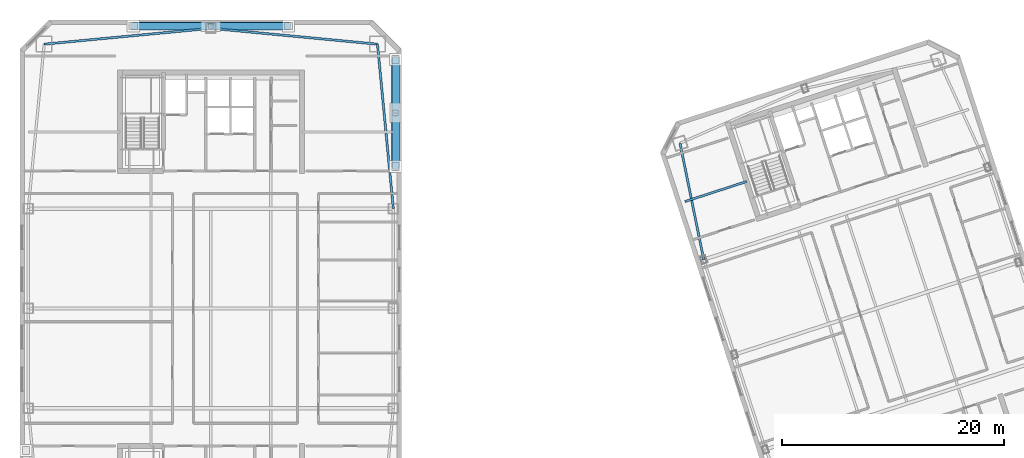
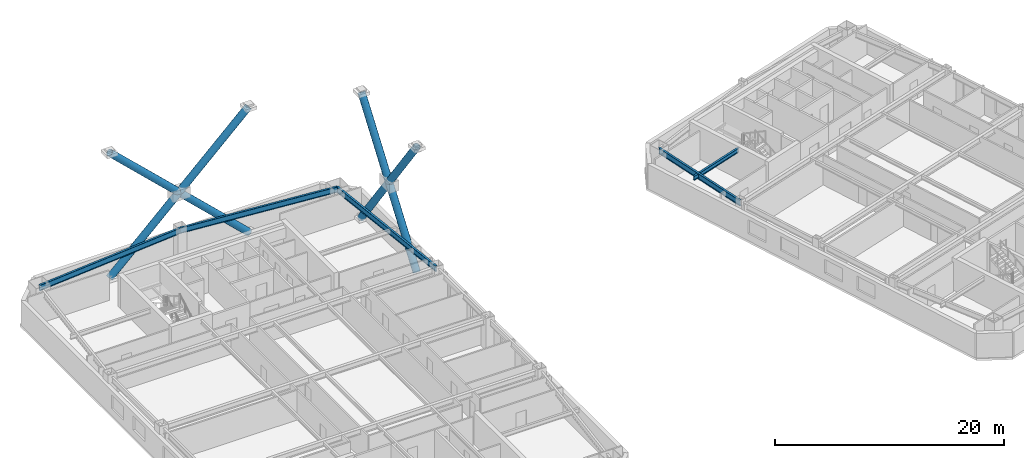
# One storey, part 9 of 25: 8 members, 5 beams.
"""IFC4 building model written with IfcOpenShell, lengths in metres."""

from ifc_helpers import new_model, si_unit, direction, frame, origin, origin_2d, place, context, subcontext, project, spatial, hollow_circle, i_section, extrude, material, material_profile, profile_set, type_object, element, save


model = new_model("IFC4")

# Units and contexts
model_context = context("Model", 3, precision=1e-05, world=origin(), true_north=direction((0.0, 1.0)))
body_context = subcontext(model_context, "Body", "Model", "MODEL_VIEW")
ifc_project = project(units=[si_unit("LENGTHUNIT", "METRE"), si_unit("AREAUNIT", "SQUARE_METRE"), si_unit("VOLUMEUNIT", "CUBIC_METRE"), si_unit("PLANEANGLEUNIT", "RADIAN"), si_unit("MASSUNIT", "GRAM", prefix="KILO")], contexts=[model_context])

# Site, building, storey
site_placement = place(None, origin())
site = spatial("IfcSite", under=ifc_project, at=site_placement, CompositionType="ELEMENT")
building_placement = place(site_placement, origin())
building = spatial("IfcBuilding", under=site, at=building_placement, Name="Qiaolan Cultural Towers", CompositionType="ELEMENT")
storey_placement = place(building_placement, frame((0.0, 0.0, 202.39990234375)))
storey = spatial("IfcBuildingStorey", under=building, at=storey_placement, Name="L54", CompositionType="ELEMENT", Elevation=202.39990234375)

# Beams
ifc_material_1 = material(Name="Steel Q355B", Category="steel")
ifc_material_profile_1 = material_profile(ifc_material_1, i_section(OverallWidth=0.199951171875, OverallDepth=0.449951171875, WebThickness=0.009033203125, FlangeThickness=0.013916015625, at=origin_2d()), Name="HN450x200x9x14")
ifc_profile_set_1 = profile_set([ifc_material_profile_1], Name="Steel Q355B")
beam_type_1 = type_object("IfcBeamType", Name="BM-LNT-HN450x200x9x14", PredefinedType="LINTEL", material=ifc_profile_set_1)
beam_1_placement = place(storey_placement, frame((78.291259765625, 45.44189453125, 2.965087890625), z_axis=(-0.951051548326, -0.309032283793, 0.0), x_axis=(0.309032283793, -0.951051548326, 0.0)))
element("IfcBeam", 1, at=beam_1_placement, inside=storey, type_object=beam_type_1, Name="L54 T2 Core Flank Tie Lintel WN", PredefinedType="LINTEL", context=body_context, shape_type="SweptSolid", body=[
    extrude(i_section(OverallWidth=0.199951171875, OverallDepth=0.449951171875, WebThickness=0.009033203125, FlangeThickness=0.013916015625, at=origin_2d()), origin(), (0.0, 0.0, 1.0), 5.85009765625),
])
ifc_material_2 = material(Name="Steel Q355B", Category="steel")
ifc_material_profile_2 = material_profile(ifc_material_2, i_section(OverallWidth=0.199951171875, OverallDepth=0.60009765625, WebThickness=0.010986328125, FlangeThickness=0.01708984375, at=origin_2d()), Name="HN600x200x11x17")
ifc_profile_set_2 = profile_set([ifc_material_profile_2], Name="Steel Q355B")
beam_type_2 = type_object("IfcBeamType", Name="BM-SPD-HN600x200x11x17", PredefinedType="SPANDREL", material=ifc_profile_set_2)
beam_2_placement = place(storey_placement, frame((46.449951171875, 43.0, 2.89013671875), z_axis=(-0.096040159186, 0.995377459974, 0.0), x_axis=(-0.995377459974, -0.096040159186, 0.0)))
element("IfcBeam", 2, at=beam_2_placement, inside=storey, type_object=beam_type_2, Name="L54 T1 Perimeter Spandrel Beam 6", PredefinedType="SPANDREL", context=body_context, shape_type="SweptSolid", body=[
    extrude(i_section(OverallWidth=0.199951171875, OverallDepth=0.60009765625, WebThickness=0.010986328125, FlangeThickness=0.01708984375, at=origin_2d()), origin(), (0.0, 0.0, 1.0), 14.888916015625),
])
for number, where, z_axis, x_axis, name in (
    (3, (45.02001953125, 57.820068359375, 2.89013671875), (-0.995498889995, 0.094773203061, 0.0), (-0.094773203061, -0.995498889995, 0.0), "L54 T1 Perimeter Spandrel Beam 7"),
    (4, (30.0, 59.25, 2.89013671875), (-0.995498889995, -0.094773203061, 0.0), (0.094773203061, -0.995498889995, 0.0), "L54 T1 Perimeter Spandrel Beam 8"),
):
    element("IfcBeam", number, at=place(storey_placement, frame(where, z_axis=z_axis, x_axis=x_axis)), inside=storey, type_object=beam_type_2, Name=name, PredefinedType="SPANDREL", context=body_context, shape_type="SweptSolid", body=[
        extrude(i_section(OverallWidth=0.199951171875, OverallDepth=0.60009765625, WebThickness=0.010986328125, FlangeThickness=0.01708984375, at=origin_2d()), origin(), (0.0, 0.0, 1.0), 15.087890625),
    ])
beam_3_placement = place(storey_placement, frame((72.2900390625, 48.896484375, 2.89013671875), z_axis=(0.199578538116, -0.979881833245, 0.0), x_axis=(0.979881833245, 0.199578538116, 0.0)))
element("IfcBeam", 5, at=beam_3_placement, inside=storey, type_object=beam_type_2, Name="L54 T2 Perimeter Spandrel Beam 9", PredefinedType="SPANDREL", context=body_context, shape_type="SweptSolid", body=[
    extrude(i_section(OverallWidth=0.199951171875, OverallDepth=0.60009765625, WebThickness=0.010986328125, FlangeThickness=0.01708984375, at=origin_2d()), origin(), (0.0, 0.0, 1.0), 10.70849609375),
])

# Members
ifc_material_3 = material(Name="Steel Q355B", Category="steel")
ifc_material_profile_3 = material_profile(ifc_material_3, hollow_circle(Radius=0.35009765625, WallThickness=0.034912109375, at=origin_2d()), Name="CHS700x35")
ifc_profile_set_3 = profile_set([ifc_material_profile_3], Name="Steel Q355B")
member_type = type_object("IfcMemberType", Name="MBR-BRC-CHS700x35", PredefinedType="BRACE", material=ifc_profile_set_3)
member_1_placement = place(storey_placement, frame((46.64990234375, 46.800048828125, 0.150146484375), z_axis=(0.0, 0.585816268736, 0.810443890275), x_axis=(-1.0, 0.0, 0.0)))
element("IfcMember", 6, at=member_1_placement, inside=storey, type_object=member_type, Name="T1 EAST Perimeter Frame Diagonal W-Z3-M4-D1A", PredefinedType="BRACE", context=body_context, shape_type="SweptSolid", body=[
    extrude(hollow_circle(Radius=0.35009765625, WallThickness=0.034912109375, at=origin_2d()), origin(), (0.0, 0.0, 1.0), 8.236328125),
])
member_2_placement = place(storey_placement, frame((46.64990234375, 51.625, 6.8251953125), z_axis=(0.0, 0.585830342188, 0.810433717322), x_axis=(-1.0, 0.0, 0.0)))
element("IfcMember", 7, at=member_2_placement, inside=storey, type_object=member_type, Name="T1 EAST Perimeter Frame Diagonal W-Z3-M4-D1B", PredefinedType="BRACE", context=body_context, shape_type="SweptSolid", body=[
    extrude(hollow_circle(Radius=0.35009765625, WallThickness=0.034912109375, at=origin_2d()), origin(), (0.0, 0.0, 1.0), 8.236083984375),
])
member_3_placement = place(storey_placement, frame((46.64990234375, 56.449951171875, 0.150146484375), z_axis=(0.0, -0.585816268736, 0.810443890275), x_axis=(1.0, 0.0, 0.0)))
element("IfcMember", 8, at=member_3_placement, inside=storey, type_object=member_type, Name="T1 EAST Perimeter Frame Diagonal W-Z3-M4-D2A", PredefinedType="BRACE", context=body_context, shape_type="SweptSolid", body=[
    extrude(hollow_circle(Radius=0.35009765625, WallThickness=0.034912109375, at=origin_2d()), origin(), (0.0, 0.0, 1.0), 8.236328125),
])
member_4_placement = place(storey_placement, frame((46.64990234375, 51.625, 6.8251953125), z_axis=(0.0, -0.585830342188, 0.810433717322), x_axis=(1.0, 0.0, 0.0)))
element("IfcMember", 9, at=member_4_placement, inside=storey, type_object=member_type, Name="T1 EAST Perimeter Frame Diagonal W-Z3-M4-D2B", PredefinedType="BRACE", context=body_context, shape_type="SweptSolid", body=[
    extrude(hollow_circle(Radius=0.35009765625, WallThickness=0.034912109375, at=origin_2d()), origin(), (0.0, 0.0, 1.0), 8.236083984375),
])
for number, where, z_axis, x_axis, name in (
    (10, (23.0, 59.449951171875, 0.150146484375), (0.723705002801, 0.0, 0.69010946155), (0.0, 1.0, 0.0), "T1 NORTH Perimeter Frame Diagonal W-Z3-M4-D1A"),
    (11, (30.0, 59.449951171875, 6.8251953125), (0.723717609069, 0.0, 0.690096241349), (0.0, 1.0, 0.0), "T1 NORTH Perimeter Frame Diagonal W-Z3-M4-D1B"),
    (12, (37.0, 59.449951171875, 0.150146484375), (-0.723705002801, 0.0, 0.69010946155), (0.0, -1.0, 0.0), "T1 NORTH Perimeter Frame Diagonal W-Z3-M4-D2A"),
    (13, (30.0, 59.449951171875, 6.8251953125), (-0.723717609069, 0.0, 0.690096241349), (0.0, -1.0, 0.0), "T1 NORTH Perimeter Frame Diagonal W-Z3-M4-D2B"),
):
    element("IfcMember", number, at=place(storey_placement, frame(where, z_axis=z_axis, x_axis=x_axis)), inside=storey, type_object=member_type, Name=name, PredefinedType="BRACE", context=body_context, shape_type="SweptSolid", body=[
        extrude(hollow_circle(Radius=0.35009765625, WallThickness=0.034912109375, at=origin_2d()), origin(), (0.0, 0.0, 1.0), 9.67236328125),
    ])

save(model, "model.ifc")
